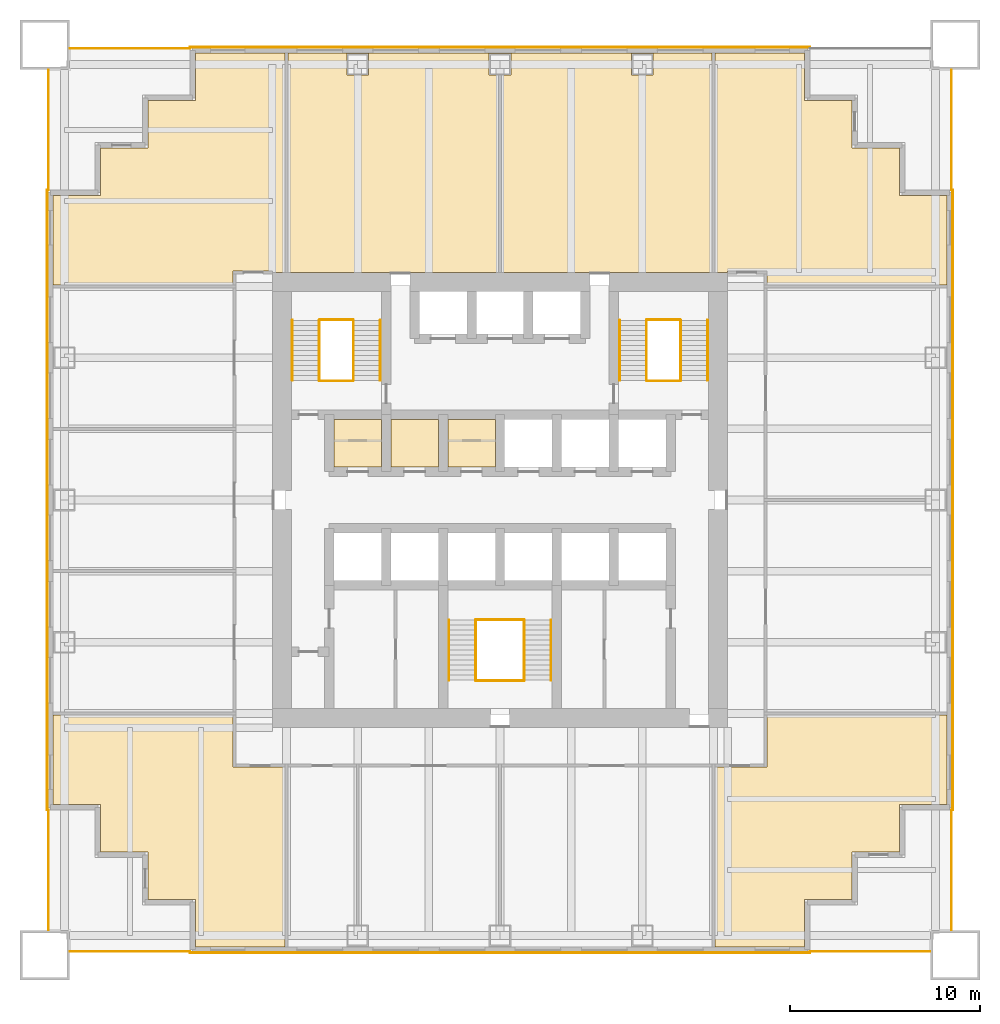
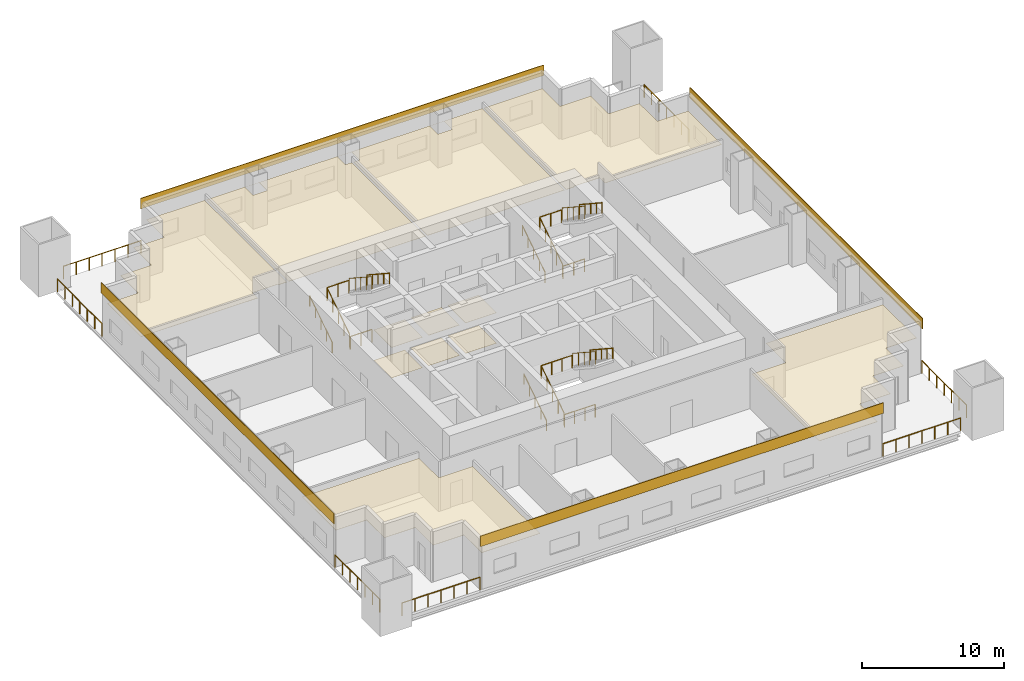
# One storey, part 6 of 7: 25 railings, 16 coverings.
"""IFC4 building model written with IfcOpenShell, lengths in metres."""

from ifc_helpers import new_model, si_unit, direction, frame, origin, origin_2d, place, context, subcontext, project, spatial, polyline, rectangle, circle, outline, extrude, material, layer, layer_set, type_object, element, save


model = new_model("IFC4")

# Units and contexts
model_context = context("Model", 3, precision=1e-05, world=origin(), true_north=direction((0.0, 1.0)))
body_context = subcontext(model_context, "Body", "Model", "MODEL_VIEW")
ifc_project = project(units=[si_unit("LENGTHUNIT", "METRE"), si_unit("AREAUNIT", "SQUARE_METRE"), si_unit("VOLUMEUNIT", "CUBIC_METRE"), si_unit("PLANEANGLEUNIT", "RADIAN"), si_unit("MASSUNIT", "GRAM", prefix="KILO")], contexts=[model_context])

# Site, building, storey
site_placement = place(None, origin())
site = spatial("IfcSite", under=ifc_project, at=site_placement, CompositionType="ELEMENT")
building_placement = place(site_placement, origin())
building = spatial("IfcBuilding", under=site, at=building_placement, Name="Tarangal Relay Tower", CompositionType="ELEMENT")
storey_placement = place(building_placement, frame((0.0, 0.0, 144.89990234375)))
storey = spatial("IfcBuildingStorey", under=building, at=storey_placement, Name="L29", CompositionType="ELEMENT", Elevation=144.89990234375)

# Coverings
ifc_material_1 = material(Name="Anti-static vinyl flooring", Category="plastic")
ifc_layer_1 = layer(ifc_material_1, 0.010009765625)
ifc_layer_set_1 = layer_set([ifc_layer_1], Name="Anti-static vinyl floor")
covering_type_1 = type_object("IfcCoveringType", Name="Anti-static vinyl floor", PredefinedType="FLOORING", material=ifc_layer_set_1)
covering_1_placement = place(storey_placement, origin())
element("IfcCovering", 1, at=covering_1_placement, inside=storey, type_object=covering_type_1, Name="Floor finish FL1 L29-D1", PredefinedType="FLOORING", context=body_context, shape_type="SweptSolid", body=[
    extrude(outline(polyline([(-8.75, 1.75), (-6.25, 1.75), (-6.25, 4.25), (-8.75, 4.25), (-8.75, 1.75)])), origin(), (0.0, 0.0, 1.0), 0.010009765625),
])
covering_2_placement = place(storey_placement, origin())
element("IfcCovering", 2, at=covering_2_placement, inside=storey, type_object=covering_type_1, Name="Floor finish FL1 L29-D2", PredefinedType="FLOORING", context=body_context, shape_type="SweptSolid", body=[
    extrude(outline(polyline([(-5.75, 1.75), (-3.25, 1.75), (-3.25, 4.25), (-5.75, 4.25), (-5.75, 1.75)])), origin(), (0.0, 0.0, 1.0), 0.010009765625),
])
covering_3_placement = place(storey_placement, origin())
element("IfcCovering", 3, at=covering_3_placement, inside=storey, type_object=covering_type_1, Name="Floor finish FL1 L29-D3", PredefinedType="FLOORING", context=body_context, shape_type="SweptSolid", body=[
    extrude(outline(polyline([(-2.75, 1.75), (-0.25, 1.75), (-0.25, 4.25), (-2.75, 4.25), (-2.75, 1.75)])), origin(), (0.0, 0.0, 1.0), 0.010009765625),
])
ifc_material_2 = material(Name="Black anodised aluminium cladding", Category="aluminium")
ifc_layer_2 = layer(ifc_material_2, 0.050048828125)
ifc_layer_set_2 = layer_set([ifc_layer_2], Name="Black metal spandrel band")
covering_type_2 = type_object("IfcCoveringType", Name="Black metal spandrel band", PredefinedType="CLADDING", material=ifc_layer_set_2)
for number, where, z_axis, x_axis, name in (
    (4, (0.0, 23.875, 3.750244140625), (0.0, 0.0, 1.0), (1.0, 0.0, 0.0), "Spandrel band SB1 N L29"),
    (5, (23.875, 0.0, 3.750244140625), (0.0, 0.0, 1.0), (0.0, -1.0, 0.0), "Spandrel band SB1 E L29"),
    (6, (0.0, -23.875, 3.750244140625), (0.0, 0.0, 1.0), (-1.0, 0.0, 0.0), "Spandrel band SB1 S L29"),
    (7, (-23.875, 0.0, 3.750244140625), (0.0, 0.0, 1.0), (0.0, 1.0, 0.0), "Spandrel band SB1 W L29"),
):
    element("IfcCovering", number, at=place(storey_placement, frame(where, z_axis=z_axis, x_axis=x_axis)), inside=storey, type_object=covering_type_2, Name=name, PredefinedType="CLADDING", context=body_context, shape_type="SweptSolid", body=[
        extrude(rectangle(XDim=32.699951171875, YDim=0.050048828125, at=origin_2d()), origin(), (0.0, 0.0, 1.0), 0.89990234375),
    ])

# Railings
ifc_material_3 = material(Name="Steel guard, black finish", Category="steel")
railing_type_1 = type_object("IfcRailingType", Name="Stair guard 1100", PredefinedType="GUARDRAIL", material=ifc_material_3)
railing_1_placement = place(storey_placement, frame((-9.530029296875, 6.300048828125, 0.173095703125)))
element("IfcRailing", 8, at=railing_1_placement, inside=storey, type_object=railing_type_1, Name="Stair ST-A guard GR1 L29 flight 1", PredefinedType="GUARDRAIL", context=body_context, shape_type="SweptSolid", body=[
    extrude(circle(Radius=0.02392578125, at=origin_2d()), frame((0.0, 0.0, 1.076171875), z_axis=(0.0, 0.83629911093, 0.548273469226), x_axis=(-1.0, 0.0, 0.0)), (0.0, 0.0, 1.0), 3.7880859375),
    extrude(circle(Radius=0.02099609375, at=origin_2d()), origin(), (0.0, 0.0, 1.0), 1.052001953125),
    extrude(circle(Radius=0.02099609375, at=origin_2d()), frame((0.0, 0.7919921875, 0.519287109375)), (0.0, 0.0, 1.0), 1.052001953125),
    extrude(circle(Radius=0.02099609375, at=origin_2d()), frame((0.0, 1.583984375, 1.03857421875)), (0.0, 0.0, 1.0), 1.052001953125),
    extrude(circle(Radius=0.02099609375, at=origin_2d()), frame((0.0, 2.3759765625, 1.5576171875)), (0.0, 0.0, 1.0), 1.052001953125),
    extrude(circle(Radius=0.02099609375, at=origin_2d()), frame((0.0, 3.16796875, 2.076904296875)), (0.0, 0.0, 1.0), 1.052001953125),
])
railing_2_placement = place(storey_placement, frame((-7.719970703125, 9.468017578125, 2.423095703125)))
element("IfcRailing", 9, at=railing_2_placement, inside=storey, type_object=railing_type_1, Name="Stair ST-A guard GR1 L29 flight 2", PredefinedType="GUARDRAIL", context=body_context, shape_type="SweptSolid", body=[
    extrude(circle(Radius=0.02392578125, at=origin_2d()), frame((0.0, 0.0, 1.076171875), z_axis=(0.0, -0.83629911093, 0.548273469226), x_axis=(1.0, 0.0, 0.0)), (0.0, 0.0, 1.0), 3.7880859375),
    extrude(circle(Radius=0.02099609375, at=origin_2d()), origin(), (0.0, 0.0, 1.0), 1.052001953125),
    extrude(circle(Radius=0.02099609375, at=origin_2d()), frame((0.0, -0.7919921875, 0.519287109375)), (0.0, 0.0, 1.0), 1.052001953125),
    extrude(circle(Radius=0.02099609375, at=origin_2d()), frame((0.0, -1.583984375, 1.03857421875)), (0.0, 0.0, 1.0), 1.052001953125),
    extrude(circle(Radius=0.02099609375, at=origin_2d()), frame((0.0, -2.3759765625, 1.5576171875)), (0.0, 0.0, 1.0), 1.052001953125),
    extrude(circle(Radius=0.02099609375, at=origin_2d()), frame((0.0, -3.16796875, 2.076904296875)), (0.0, 0.0, 1.0), 1.052001953125),
])
for number, where, name in (
    (10, (-9.5, 6.27001953125, 0.0), "Stair ST-A landing guard GR1 L29"),
    (11, (-9.5, 9.498046875, 2.25), "Stair ST-A landing guard GR1 L29"),
):
    element("IfcRailing", number, at=place(storey_placement, frame(where)), inside=storey, type_object=railing_type_1, Name=name, PredefinedType="GUARDRAIL", context=body_context, shape_type="SweptSolid", body=[
        extrude(circle(Radius=0.02392578125, at=origin_2d()), frame((0.0, 0.0, 1.076171875), z_axis=(1.0, 0.0, 0.0), x_axis=(0.0, 1.0, 0.0)), (0.0, 0.0, 1.0), 1.75),
        extrude(circle(Radius=0.02099609375, at=origin_2d()), origin(), (0.0, 0.0, 1.0), 1.052001953125),
        extrude(circle(Radius=0.02099609375, at=origin_2d()), frame((0.875, 0.0, 0.0)), (0.0, 0.0, 1.0), 1.052001953125),
        extrude(circle(Radius=0.02099609375, at=origin_2d()), frame((1.75, 0.0, 0.0)), (0.0, 0.0, 1.0), 1.052001953125),
    ])
railing_3_placement = place(storey_placement, frame((7.719970703125, 6.300048828125, 0.173095703125)))
element("IfcRailing", 12, at=railing_3_placement, inside=storey, type_object=railing_type_1, Name="Stair ST-B guard GR1 L29 flight 1", PredefinedType="GUARDRAIL", context=body_context, shape_type="SweptSolid", body=[
    extrude(circle(Radius=0.02392578125, at=origin_2d()), frame((0.0, 0.0, 1.076171875), z_axis=(0.0, 0.83629911093, 0.548273469226), x_axis=(-1.0, 0.0, 0.0)), (0.0, 0.0, 1.0), 3.7880859375),
    extrude(circle(Radius=0.02099609375, at=origin_2d()), origin(), (0.0, 0.0, 1.0), 1.052001953125),
    extrude(circle(Radius=0.02099609375, at=origin_2d()), frame((0.0, 0.7919921875, 0.519287109375)), (0.0, 0.0, 1.0), 1.052001953125),
    extrude(circle(Radius=0.02099609375, at=origin_2d()), frame((0.0, 1.583984375, 1.03857421875)), (0.0, 0.0, 1.0), 1.052001953125),
    extrude(circle(Radius=0.02099609375, at=origin_2d()), frame((0.0, 2.3759765625, 1.5576171875)), (0.0, 0.0, 1.0), 1.052001953125),
    extrude(circle(Radius=0.02099609375, at=origin_2d()), frame((0.0, 3.16796875, 2.076904296875)), (0.0, 0.0, 1.0), 1.052001953125),
])
railing_4_placement = place(storey_placement, frame((9.530029296875, 9.468017578125, 2.423095703125)))
element("IfcRailing", 13, at=railing_4_placement, inside=storey, type_object=railing_type_1, Name="Stair ST-B guard GR1 L29 flight 2", PredefinedType="GUARDRAIL", context=body_context, shape_type="SweptSolid", body=[
    extrude(circle(Radius=0.02392578125, at=origin_2d()), frame((0.0, 0.0, 1.076171875), z_axis=(0.0, -0.83629911093, 0.548273469226), x_axis=(1.0, 0.0, 0.0)), (0.0, 0.0, 1.0), 3.7880859375),
    extrude(circle(Radius=0.02099609375, at=origin_2d()), origin(), (0.0, 0.0, 1.0), 1.052001953125),
    extrude(circle(Radius=0.02099609375, at=origin_2d()), frame((0.0, -0.7919921875, 0.519287109375)), (0.0, 0.0, 1.0), 1.052001953125),
    extrude(circle(Radius=0.02099609375, at=origin_2d()), frame((0.0, -1.583984375, 1.03857421875)), (0.0, 0.0, 1.0), 1.052001953125),
    extrude(circle(Radius=0.02099609375, at=origin_2d()), frame((0.0, -2.3759765625, 1.5576171875)), (0.0, 0.0, 1.0), 1.052001953125),
    extrude(circle(Radius=0.02099609375, at=origin_2d()), frame((0.0, -3.16796875, 2.076904296875)), (0.0, 0.0, 1.0), 1.052001953125),
])
for number, where, name in (
    (14, (7.75, 6.27001953125, 0.0), "Stair ST-B landing guard GR1 L29"),
    (15, (7.75, 9.498046875, 2.25), "Stair ST-B landing guard GR1 L29"),
):
    element("IfcRailing", number, at=place(storey_placement, frame(where)), inside=storey, type_object=railing_type_1, Name=name, PredefinedType="GUARDRAIL", context=body_context, shape_type="SweptSolid", body=[
        extrude(circle(Radius=0.02392578125, at=origin_2d()), frame((0.0, 0.0, 1.076171875), z_axis=(1.0, 0.0, 0.0), x_axis=(0.0, 1.0, 0.0)), (0.0, 0.0, 1.0), 1.75),
        extrude(circle(Radius=0.02099609375, at=origin_2d()), origin(), (0.0, 0.0, 1.0), 1.052001953125),
        extrude(circle(Radius=0.02099609375, at=origin_2d()), frame((0.875, 0.0, 0.0)), (0.0, 0.0, 1.0), 1.052001953125),
        extrude(circle(Radius=0.02099609375, at=origin_2d()), frame((1.75, 0.0, 0.0)), (0.0, 0.0, 1.0), 1.052001953125),
    ])
railing_5_placement = place(storey_placement, frame((-1.280029296875, -9.5, 0.173095703125)))
element("IfcRailing", 16, at=railing_5_placement, inside=storey, type_object=railing_type_1, Name="Stair ST-C guard GR1 L29 flight 1", PredefinedType="GUARDRAIL", context=body_context, shape_type="SweptSolid", body=[
    extrude(circle(Radius=0.02392578125, at=origin_2d()), frame((0.0, 0.0, 1.076171875), z_axis=(0.0, 0.83629911093, 0.548273469226), x_axis=(-1.0, 0.0, 0.0)), (0.0, 0.0, 1.0), 3.7880859375),
    extrude(circle(Radius=0.02099609375, at=origin_2d()), origin(), (0.0, 0.0, 1.0), 1.052001953125),
    extrude(circle(Radius=0.02099609375, at=origin_2d()), frame((0.0, 0.7919921875, 0.519287109375)), (0.0, 0.0, 1.0), 1.052001953125),
    extrude(circle(Radius=0.02099609375, at=origin_2d()), frame((0.0, 1.583984375, 1.03857421875)), (0.0, 0.0, 1.0), 1.052001953125),
    extrude(circle(Radius=0.02099609375, at=origin_2d()), frame((0.0, 2.3759765625, 1.5576171875)), (0.0, 0.0, 1.0), 1.052001953125),
    extrude(circle(Radius=0.02099609375, at=origin_2d()), frame((0.0, 3.16796875, 2.076904296875)), (0.0, 0.0, 1.0), 1.052001953125),
])
railing_6_placement = place(storey_placement, frame((1.280029296875, -6.33203125, 2.423095703125)))
element("IfcRailing", 17, at=railing_6_placement, inside=storey, type_object=railing_type_1, Name="Stair ST-C guard GR1 L29 flight 2", PredefinedType="GUARDRAIL", context=body_context, shape_type="SweptSolid", body=[
    extrude(circle(Radius=0.02392578125, at=origin_2d()), frame((0.0, 0.0, 1.076171875), z_axis=(0.0, -0.83629911093, 0.548273469226), x_axis=(1.0, 0.0, 0.0)), (0.0, 0.0, 1.0), 3.7880859375),
    extrude(circle(Radius=0.02099609375, at=origin_2d()), origin(), (0.0, 0.0, 1.0), 1.052001953125),
    extrude(circle(Radius=0.02099609375, at=origin_2d()), frame((0.0, -0.7919921875, 0.519287109375)), (0.0, 0.0, 1.0), 1.052001953125),
    extrude(circle(Radius=0.02099609375, at=origin_2d()), frame((0.0, -1.583984375, 1.03857421875)), (0.0, 0.0, 1.0), 1.052001953125),
    extrude(circle(Radius=0.02099609375, at=origin_2d()), frame((0.0, -2.3759765625, 1.5576171875)), (0.0, 0.0, 1.0), 1.052001953125),
    extrude(circle(Radius=0.02099609375, at=origin_2d()), frame((0.0, -3.16796875, 2.076904296875)), (0.0, 0.0, 1.0), 1.052001953125),
])
for number, where, name in (
    (18, (-1.25, -9.530029296875, 0.0), "Stair ST-C landing guard GR1 L29"),
    (19, (-1.25, -6.302001953125, 2.25), "Stair ST-C landing guard GR1 L29"),
):
    element("IfcRailing", number, at=place(storey_placement, frame(where)), inside=storey, type_object=railing_type_1, Name=name, PredefinedType="GUARDRAIL", context=body_context, shape_type="SweptSolid", body=[
        extrude(circle(Radius=0.02392578125, at=origin_2d()), frame((0.0, 0.0, 1.076171875), z_axis=(1.0, 0.0, 0.0), x_axis=(0.0, 1.0, 0.0)), (0.0, 0.0, 1.0), 2.5),
        extrude(circle(Radius=0.02099609375, at=origin_2d()), origin(), (0.0, 0.0, 1.0), 1.052001953125),
        extrude(circle(Radius=0.02099609375, at=origin_2d()), frame((0.833251953125, 0.0, 0.0)), (0.0, 0.0, 1.0), 1.052001953125),
        extrude(circle(Radius=0.02099609375, at=origin_2d()), frame((1.666748046875, 0.0, 0.0)), (0.0, 0.0, 1.0), 1.052001953125),
        extrude(circle(Radius=0.02099609375, at=origin_2d()), frame((2.5, 0.0, 0.0)), (0.0, 0.0, 1.0), 1.052001953125),
    ])
ifc_material_4 = material(Name="Steel handrail, black finish", Category="steel")
railing_type_2 = type_object("IfcRailingType", Name="Stair handrail 900", PredefinedType="HANDRAIL", material=ifc_material_4)
railing_7_placement = place(storey_placement, frame((-10.93994140625, 6.300048828125, 0.173095703125)))
element("IfcRailing", 20, at=railing_7_placement, inside=storey, type_object=railing_type_2, Name="Stair ST-A handrail HR1 L29 flight 1", PredefinedType="HANDRAIL", context=body_context, shape_type="SweptSolid", body=[
    extrude(circle(Radius=0.02392578125, at=origin_2d()), frame((0.0, 0.0, 0.8759765625), z_axis=(0.0, 0.83629911093, 0.548273469226), x_axis=(-1.0, 0.0, 0.0)), (0.0, 0.0, 1.0), 3.7880859375),
    extrude(circle(Radius=0.02099609375, at=origin_2d()), origin(), (0.0, 0.0, 1.0), 0.851806640625),
    extrude(circle(Radius=0.02099609375, at=origin_2d()), frame((0.0, 0.7919921875, 0.519287109375)), (0.0, 0.0, 1.0), 0.851806640625),
    extrude(circle(Radius=0.02099609375, at=origin_2d()), frame((0.0, 1.583984375, 1.03857421875)), (0.0, 0.0, 1.0), 0.851806640625),
    extrude(circle(Radius=0.02099609375, at=origin_2d()), frame((0.0, 2.3759765625, 1.5576171875)), (0.0, 0.0, 1.0), 0.851806640625),
    extrude(circle(Radius=0.02099609375, at=origin_2d()), frame((0.0, 3.16796875, 2.076904296875)), (0.0, 0.0, 1.0), 0.851806640625),
])
railing_8_placement = place(storey_placement, frame((-6.31005859375, 9.468017578125, 2.423095703125)))
element("IfcRailing", 21, at=railing_8_placement, inside=storey, type_object=railing_type_2, Name="Stair ST-A handrail HR1 L29 flight 2", PredefinedType="HANDRAIL", context=body_context, shape_type="SweptSolid", body=[
    extrude(circle(Radius=0.02392578125, at=origin_2d()), frame((0.0, 0.0, 0.8759765625), z_axis=(0.0, -0.83629911093, 0.548273469226), x_axis=(1.0, 0.0, 0.0)), (0.0, 0.0, 1.0), 3.7880859375),
    extrude(circle(Radius=0.02099609375, at=origin_2d()), origin(), (0.0, 0.0, 1.0), 0.851806640625),
    extrude(circle(Radius=0.02099609375, at=origin_2d()), frame((0.0, -0.7919921875, 0.519287109375)), (0.0, 0.0, 1.0), 0.851806640625),
    extrude(circle(Radius=0.02099609375, at=origin_2d()), frame((0.0, -1.583984375, 1.03857421875)), (0.0, 0.0, 1.0), 0.851806640625),
    extrude(circle(Radius=0.02099609375, at=origin_2d()), frame((0.0, -2.3759765625, 1.5576171875)), (0.0, 0.0, 1.0), 0.851806640625),
    extrude(circle(Radius=0.02099609375, at=origin_2d()), frame((0.0, -3.16796875, 2.076904296875)), (0.0, 0.0, 1.0), 0.851806640625),
])
railing_9_placement = place(storey_placement, frame((6.31005859375, 6.300048828125, 0.173095703125)))
element("IfcRailing", 22, at=railing_9_placement, inside=storey, type_object=railing_type_2, Name="Stair ST-B handrail HR1 L29 flight 1", PredefinedType="HANDRAIL", context=body_context, shape_type="SweptSolid", body=[
    extrude(circle(Radius=0.02392578125, at=origin_2d()), frame((0.0, 0.0, 0.8759765625), z_axis=(0.0, 0.83629911093, 0.548273469226), x_axis=(-1.0, 0.0, 0.0)), (0.0, 0.0, 1.0), 3.7880859375),
    extrude(circle(Radius=0.02099609375, at=origin_2d()), origin(), (0.0, 0.0, 1.0), 0.851806640625),
    extrude(circle(Radius=0.02099609375, at=origin_2d()), frame((0.0, 0.7919921875, 0.519287109375)), (0.0, 0.0, 1.0), 0.851806640625),
    extrude(circle(Radius=0.02099609375, at=origin_2d()), frame((0.0, 1.583984375, 1.03857421875)), (0.0, 0.0, 1.0), 0.851806640625),
    extrude(circle(Radius=0.02099609375, at=origin_2d()), frame((0.0, 2.3759765625, 1.5576171875)), (0.0, 0.0, 1.0), 0.851806640625),
    extrude(circle(Radius=0.02099609375, at=origin_2d()), frame((0.0, 3.16796875, 2.076904296875)), (0.0, 0.0, 1.0), 0.851806640625),
])
railing_10_placement = place(storey_placement, frame((10.93994140625, 9.468017578125, 2.423095703125)))
element("IfcRailing", 23, at=railing_10_placement, inside=storey, type_object=railing_type_2, Name="Stair ST-B handrail HR1 L29 flight 2", PredefinedType="HANDRAIL", context=body_context, shape_type="SweptSolid", body=[
    extrude(circle(Radius=0.02392578125, at=origin_2d()), frame((0.0, 0.0, 0.8759765625), z_axis=(0.0, -0.83629911093, 0.548273469226), x_axis=(1.0, 0.0, 0.0)), (0.0, 0.0, 1.0), 3.7880859375),
    extrude(circle(Radius=0.02099609375, at=origin_2d()), origin(), (0.0, 0.0, 1.0), 0.851806640625),
    extrude(circle(Radius=0.02099609375, at=origin_2d()), frame((0.0, -0.7919921875, 0.519287109375)), (0.0, 0.0, 1.0), 0.851806640625),
    extrude(circle(Radius=0.02099609375, at=origin_2d()), frame((0.0, -1.583984375, 1.03857421875)), (0.0, 0.0, 1.0), 0.851806640625),
    extrude(circle(Radius=0.02099609375, at=origin_2d()), frame((0.0, -2.3759765625, 1.5576171875)), (0.0, 0.0, 1.0), 0.851806640625),
    extrude(circle(Radius=0.02099609375, at=origin_2d()), frame((0.0, -3.16796875, 2.076904296875)), (0.0, 0.0, 1.0), 0.851806640625),
])
railing_11_placement = place(storey_placement, frame((-2.68994140625, -9.5, 0.173095703125)))
element("IfcRailing", 24, at=railing_11_placement, inside=storey, type_object=railing_type_2, Name="Stair ST-C handrail HR1 L29 flight 1", PredefinedType="HANDRAIL", context=body_context, shape_type="SweptSolid", body=[
    extrude(circle(Radius=0.02392578125, at=origin_2d()), frame((0.0, 0.0, 0.8759765625), z_axis=(0.0, 0.83629911093, 0.548273469226), x_axis=(-1.0, 0.0, 0.0)), (0.0, 0.0, 1.0), 3.7880859375),
    extrude(circle(Radius=0.02099609375, at=origin_2d()), origin(), (0.0, 0.0, 1.0), 0.851806640625),
    extrude(circle(Radius=0.02099609375, at=origin_2d()), frame((0.0, 0.7919921875, 0.519287109375)), (0.0, 0.0, 1.0), 0.851806640625),
    extrude(circle(Radius=0.02099609375, at=origin_2d()), frame((0.0, 1.583984375, 1.03857421875)), (0.0, 0.0, 1.0), 0.851806640625),
    extrude(circle(Radius=0.02099609375, at=origin_2d()), frame((0.0, 2.3759765625, 1.5576171875)), (0.0, 0.0, 1.0), 0.851806640625),
    extrude(circle(Radius=0.02099609375, at=origin_2d()), frame((0.0, 3.16796875, 2.076904296875)), (0.0, 0.0, 1.0), 0.851806640625),
])
railing_12_placement = place(storey_placement, frame((2.68994140625, -6.33203125, 2.423095703125)))
element("IfcRailing", 25, at=railing_12_placement, inside=storey, type_object=railing_type_2, Name="Stair ST-C handrail HR1 L29 flight 2", PredefinedType="HANDRAIL", context=body_context, shape_type="SweptSolid", body=[
    extrude(circle(Radius=0.02392578125, at=origin_2d()), frame((0.0, 0.0, 0.8759765625), z_axis=(0.0, -0.83629911093, 0.548273469226), x_axis=(1.0, 0.0, 0.0)), (0.0, 0.0, 1.0), 3.7880859375),
    extrude(circle(Radius=0.02099609375, at=origin_2d()), origin(), (0.0, 0.0, 1.0), 0.851806640625),
    extrude(circle(Radius=0.02099609375, at=origin_2d()), frame((0.0, -0.7919921875, 0.519287109375)), (0.0, 0.0, 1.0), 0.851806640625),
    extrude(circle(Radius=0.02099609375, at=origin_2d()), frame((0.0, -1.583984375, 1.03857421875)), (0.0, 0.0, 1.0), 0.851806640625),
    extrude(circle(Radius=0.02099609375, at=origin_2d()), frame((0.0, -2.3759765625, 1.5576171875)), (0.0, 0.0, 1.0), 0.851806640625),
    extrude(circle(Radius=0.02099609375, at=origin_2d()), frame((0.0, -3.16796875, 2.076904296875)), (0.0, 0.0, 1.0), 0.851806640625),
])

# Coverings
ifc_material_5 = material(Name="Mineral fibre ceiling tiles", Category="gypsum")
ifc_layer_3 = layer(ifc_material_5, 0.02001953125)
ifc_layer_set_3 = layer_set([ifc_layer_3], Name="Suspended ceiling")
covering_type_3 = type_object("IfcCoveringType", Name="Suspended ceiling", PredefinedType="CEILING", material=ifc_layer_set_3)
covering_4_placement = place(storey_placement, frame((0.0, 0.0, 2.60009765625)))
element("IfcCovering", 26, at=covering_4_placement, inside=storey, type_object=covering_type_3, Name="Suspended ceiling CL1 L29-D1", PredefinedType="CEILING", context=body_context, shape_type="SweptSolid", body=[
    extrude(outline(polyline([(-8.75, 1.75), (-6.25, 1.75), (-6.25, 4.25), (-8.75, 4.25), (-8.75, 1.75)])), origin(), (0.0, 0.0, 1.0), 0.02001953125),
])
covering_5_placement = place(storey_placement, frame((0.0, 0.0, 2.60009765625)))
element("IfcCovering", 27, at=covering_5_placement, inside=storey, type_object=covering_type_3, Name="Suspended ceiling CL1 L29-D2", PredefinedType="CEILING", context=body_context, shape_type="SweptSolid", body=[
    extrude(outline(polyline([(-5.75, 1.75), (-3.25, 1.75), (-3.25, 4.25), (-5.75, 4.25), (-5.75, 1.75)])), origin(), (0.0, 0.0, 1.0), 0.02001953125),
])
covering_6_placement = place(storey_placement, frame((0.0, 0.0, 2.60009765625)))
element("IfcCovering", 28, at=covering_6_placement, inside=storey, type_object=covering_type_3, Name="Suspended ceiling CL1 L29-D3", PredefinedType="CEILING", context=body_context, shape_type="SweptSolid", body=[
    extrude(outline(polyline([(-2.75, 1.75), (-0.25, 1.75), (-0.25, 4.25), (-2.75, 4.25), (-2.75, 1.75)])), origin(), (0.0, 0.0, 1.0), 0.02001953125),
])
covering_7_placement = place(storey_placement, frame((0.0, 0.0, 2.900146484375)))
element("IfcCovering", 29, at=covering_7_placement, inside=storey, type_object=covering_type_3, Name="Suspended ceiling CL1 L29-02", PredefinedType="CEILING", context=body_context, shape_type="SweptSolid", body=[
    extrude(outline(polyline([(-0.074951171875, 22.389892578125), (-0.574951171875, 22.389892578125), (-0.574951171875, 23.5400390625), (0.0, 23.5400390625), (0.0, 23.550048828125), (-11.175048828125, 23.550048828125), (-11.175048828125, 12.0), (-0.074951171875, 12.0), (-0.074951171875, 22.389892578125)]), holes=[polyline([(-6.925048828125, 22.389892578125), (-6.925048828125, 23.5400390625), (-8.074951171875, 23.5400390625), (-8.074951171875, 22.389892578125), (-6.925048828125, 22.389892578125)])]), origin(), (0.0, 0.0, 1.0), 0.02001953125),
])
covering_8_placement = place(storey_placement, frame((0.0, 0.0, 2.900146484375)))
element("IfcCovering", 30, at=covering_8_placement, inside=storey, type_object=covering_type_3, Name="Suspended ceiling CL1 L29-03", PredefinedType="CEILING", context=body_context, shape_type="SweptSolid", body=[
    extrude(outline(polyline([(0.074951171875, 12.0), (11.175048828125, 12.0), (11.175048828125, 23.550048828125), (0.0, 23.550048828125), (0.0, 23.5400390625), (0.574951171875, 23.5400390625), (0.574951171875, 22.389892578125), (0.074951171875, 22.389892578125), (0.074951171875, 12.0)]), holes=[polyline([(8.074951171875, 22.389892578125), (8.074951171875, 23.5400390625), (6.925048828125, 23.5400390625), (6.925048828125, 22.389892578125), (8.074951171875, 22.389892578125)])]), origin(), (0.0, 0.0, 1.0), 0.02001953125),
])
covering_9_placement = place(storey_placement, frame((0.0, 0.0, 2.900146484375)))
element("IfcCovering", 31, at=covering_9_placement, inside=storey, type_object=covering_type_3, Name="Suspended ceiling CL1 L29-12", PredefinedType="CEILING", context=body_context, shape_type="SweptSolid", body=[
    extrude(outline(polyline([(11.324951171875, 23.550048828125), (11.324951171875, 12.0), (12.0, 12.0), (12.0, 12.074951171875), (14.074951171875, 12.074951171875), (14.074951171875, 11.324951171875), (23.550048828125, 11.324951171875), (23.550048828125, 16.050048828125), (21.050048828125, 16.050048828125), (21.050048828125, 18.550048828125), (18.550048828125, 18.550048828125), (18.550048828125, 21.050048828125), (16.050048828125, 21.050048828125), (16.050048828125, 23.550048828125), (11.324951171875, 23.550048828125)])), origin(), (0.0, 0.0, 1.0), 0.02001953125),
])
covering_10_placement = place(storey_placement, frame((0.0, 0.0, 2.900146484375)))
element("IfcCovering", 32, at=covering_10_placement, inside=storey, type_object=covering_type_3, Name="Suspended ceiling CL1 L29-13", PredefinedType="CEILING", context=body_context, shape_type="SweptSolid", body=[
    extrude(outline(polyline([(23.550048828125, -16.050048828125), (23.550048828125, -11.324951171875), (14.074951171875, -11.324951171875), (14.074951171875, -14.074951171875), (11.324951171875, -14.074951171875), (11.324951171875, -23.550048828125), (16.050048828125, -23.550048828125), (16.050048828125, -21.050048828125), (18.550048828125, -21.050048828125), (18.550048828125, -18.550048828125), (21.050048828125, -18.550048828125), (21.050048828125, -16.050048828125), (23.550048828125, -16.050048828125)])), origin(), (0.0, 0.0, 1.0), 0.02001953125),
])
covering_11_placement = place(storey_placement, frame((0.0, 0.0, 2.900146484375)))
element("IfcCovering", 33, at=covering_11_placement, inside=storey, type_object=covering_type_3, Name="Suspended ceiling CL1 L29-14", PredefinedType="CEILING", context=body_context, shape_type="SweptSolid", body=[
    extrude(outline(polyline([(-16.050048828125, -21.050048828125), (-16.050048828125, -23.550048828125), (-11.324951171875, -23.550048828125), (-11.324951171875, -14.074951171875), (-14.074951171875, -14.074951171875), (-14.074951171875, -11.324951171875), (-23.550048828125, -11.324951171875), (-23.550048828125, -16.050048828125), (-21.050048828125, -16.050048828125), (-21.050048828125, -18.550048828125), (-18.550048828125, -18.550048828125), (-18.550048828125, -21.050048828125), (-16.050048828125, -21.050048828125)])), origin(), (0.0, 0.0, 1.0), 0.02001953125),
])
covering_12_placement = place(storey_placement, frame((0.0, 0.0, 2.900146484375)))
element("IfcCovering", 34, at=covering_12_placement, inside=storey, type_object=covering_type_3, Name="Suspended ceiling CL1 L29-15", PredefinedType="CEILING", context=body_context, shape_type="SweptSolid", body=[
    extrude(outline(polyline([(-21.050048828125, 16.050048828125), (-23.550048828125, 16.050048828125), (-23.550048828125, 11.324951171875), (-14.074951171875, 11.324951171875), (-14.074951171875, 12.074951171875), (-12.0, 12.074951171875), (-12.0, 12.0), (-11.324951171875, 12.0), (-11.324951171875, 23.550048828125), (-16.050048828125, 23.550048828125), (-16.050048828125, 21.050048828125), (-18.550048828125, 21.050048828125), (-18.550048828125, 18.550048828125), (-21.050048828125, 18.550048828125), (-21.050048828125, 16.050048828125)])), origin(), (0.0, 0.0, 1.0), 0.02001953125),
])

# Railings
ifc_material_6 = material(Name="Black steel guard with glass infill", Category="steel")
railing_type_3 = type_object("IfcRailingType", Name="Terrace guard 1100", PredefinedType="GUARDRAIL", material=ifc_material_6)
for number, where, name in (
    (35, (23.800048828125, 22.64990234375, 0.0), "Terrace guard GR2 NE L29"),
    (36, (23.800048828125, -16.35009765625, 0.0), "Terrace guard GR2 SE L29"),
):
    element("IfcRailing", number, at=place(storey_placement, frame(where)), inside=storey, type_object=railing_type_3, Name=name, PredefinedType="GUARDRAIL", context=body_context, shape_type="SweptSolid", body=[
        extrude(circle(Radius=0.02392578125, at=origin_2d()), frame((0.0, 0.0, 1.076171875), z_axis=(0.0, -1.0, 0.0), x_axis=(1.0, 0.0, 0.0)), (0.0, 0.0, 1.0), 6.2998046875),
        extrude(circle(Radius=0.02099609375, at=origin_2d()), origin(), (0.0, 0.0, 1.0), 1.052001953125),
        extrude(circle(Radius=0.02099609375, at=origin_2d()), frame((0.0, -1.050048828125, 0.0)), (0.0, 0.0, 1.0), 1.052001953125),
        extrude(circle(Radius=0.02099609375, at=origin_2d()), frame((0.0, -2.099853515625, 0.0)), (0.0, 0.0, 1.0), 1.052001953125),
        extrude(circle(Radius=0.02099609375, at=origin_2d()), frame((0.0, -3.14990234375, 0.0)), (0.0, 0.0, 1.0), 1.052001953125),
        extrude(circle(Radius=0.02099609375, at=origin_2d()), frame((0.0, -4.199951171875, 0.0)), (0.0, 0.0, 1.0), 1.052001953125),
        extrude(circle(Radius=0.02099609375, at=origin_2d()), frame((0.0, -5.249755859375, 0.0)), (0.0, 0.0, 1.0), 1.052001953125),
        extrude(circle(Radius=0.02099609375, at=origin_2d()), frame((0.0, -6.2998046875, 0.0)), (0.0, 0.0, 1.0), 1.052001953125),
    ])
for number, where, name in (
    (37, (22.64990234375, -23.800048828125, 0.0), "Terrace guard GR2 SE L29"),
    (38, (-16.35009765625, -23.800048828125, 0.0), "Terrace guard GR2 SW L29"),
):
    element("IfcRailing", number, at=place(storey_placement, frame(where)), inside=storey, type_object=railing_type_3, Name=name, PredefinedType="GUARDRAIL", context=body_context, shape_type="SweptSolid", body=[
        extrude(circle(Radius=0.02392578125, at=origin_2d()), frame((0.0, 0.0, 1.076171875), z_axis=(-1.0, 0.0, 0.0), x_axis=(0.0, -1.0, 0.0)), (0.0, 0.0, 1.0), 6.2998046875),
        extrude(circle(Radius=0.02099609375, at=origin_2d()), origin(), (0.0, 0.0, 1.0), 1.052001953125),
        extrude(circle(Radius=0.02099609375, at=origin_2d()), frame((-1.050048828125, 0.0, 0.0)), (0.0, 0.0, 1.0), 1.052001953125),
        extrude(circle(Radius=0.02099609375, at=origin_2d()), frame((-2.099853515625, 0.0, 0.0)), (0.0, 0.0, 1.0), 1.052001953125),
        extrude(circle(Radius=0.02099609375, at=origin_2d()), frame((-3.14990234375, 0.0, 0.0)), (0.0, 0.0, 1.0), 1.052001953125),
        extrude(circle(Radius=0.02099609375, at=origin_2d()), frame((-4.199951171875, 0.0, 0.0)), (0.0, 0.0, 1.0), 1.052001953125),
        extrude(circle(Radius=0.02099609375, at=origin_2d()), frame((-5.249755859375, 0.0, 0.0)), (0.0, 0.0, 1.0), 1.052001953125),
        extrude(circle(Radius=0.02099609375, at=origin_2d()), frame((-6.2998046875, 0.0, 0.0)), (0.0, 0.0, 1.0), 1.052001953125),
    ])
for number, where, name in (
    (39, (-23.800048828125, -22.64990234375, 0.0), "Terrace guard GR2 SW L29"),
    (40, (-23.800048828125, 16.35009765625, 0.0), "Terrace guard GR2 NW L29"),
):
    element("IfcRailing", number, at=place(storey_placement, frame(where)), inside=storey, type_object=railing_type_3, Name=name, PredefinedType="GUARDRAIL", context=body_context, shape_type="SweptSolid", body=[
        extrude(circle(Radius=0.02392578125, at=origin_2d()), frame((0.0, 0.0, 1.076171875), z_axis=(0.0, 1.0, 0.0), x_axis=(-1.0, 0.0, 0.0)), (0.0, 0.0, 1.0), 6.2998046875),
        extrude(circle(Radius=0.02099609375, at=origin_2d()), origin(), (0.0, 0.0, 1.0), 1.052001953125),
        extrude(circle(Radius=0.02099609375, at=origin_2d()), frame((0.0, 1.050048828125, 0.0)), (0.0, 0.0, 1.0), 1.052001953125),
        extrude(circle(Radius=0.02099609375, at=origin_2d()), frame((0.0, 2.099853515625, 0.0)), (0.0, 0.0, 1.0), 1.052001953125),
        extrude(circle(Radius=0.02099609375, at=origin_2d()), frame((0.0, 3.14990234375, 0.0)), (0.0, 0.0, 1.0), 1.052001953125),
        extrude(circle(Radius=0.02099609375, at=origin_2d()), frame((0.0, 4.199951171875, 0.0)), (0.0, 0.0, 1.0), 1.052001953125),
        extrude(circle(Radius=0.02099609375, at=origin_2d()), frame((0.0, 5.249755859375, 0.0)), (0.0, 0.0, 1.0), 1.052001953125),
        extrude(circle(Radius=0.02099609375, at=origin_2d()), frame((0.0, 6.2998046875, 0.0)), (0.0, 0.0, 1.0), 1.052001953125),
    ])
railing_13_placement = place(storey_placement, frame((-22.64990234375, 23.800048828125, 0.0)))
element("IfcRailing", 41, at=railing_13_placement, inside=storey, type_object=railing_type_3, Name="Terrace guard GR2 NW L29", PredefinedType="GUARDRAIL", context=body_context, shape_type="SweptSolid", body=[
    extrude(circle(Radius=0.02392578125, at=origin_2d()), frame((0.0, 0.0, 1.076171875), z_axis=(1.0, 0.0, 0.0), x_axis=(0.0, 1.0, 0.0)), (0.0, 0.0, 1.0), 6.2998046875),
    extrude(circle(Radius=0.02099609375, at=origin_2d()), origin(), (0.0, 0.0, 1.0), 1.052001953125),
    extrude(circle(Radius=0.02099609375, at=origin_2d()), frame((1.050048828125, 0.0, 0.0)), (0.0, 0.0, 1.0), 1.052001953125),
    extrude(circle(Radius=0.02099609375, at=origin_2d()), frame((2.099853515625, 0.0, 0.0)), (0.0, 0.0, 1.0), 1.052001953125),
    extrude(circle(Radius=0.02099609375, at=origin_2d()), frame((3.14990234375, 0.0, 0.0)), (0.0, 0.0, 1.0), 1.052001953125),
    extrude(circle(Radius=0.02099609375, at=origin_2d()), frame((4.199951171875, 0.0, 0.0)), (0.0, 0.0, 1.0), 1.052001953125),
    extrude(circle(Radius=0.02099609375, at=origin_2d()), frame((5.249755859375, 0.0, 0.0)), (0.0, 0.0, 1.0), 1.052001953125),
    extrude(circle(Radius=0.02099609375, at=origin_2d()), frame((6.2998046875, 0.0, 0.0)), (0.0, 0.0, 1.0), 1.052001953125),
])

save(model, "model.ifc")
